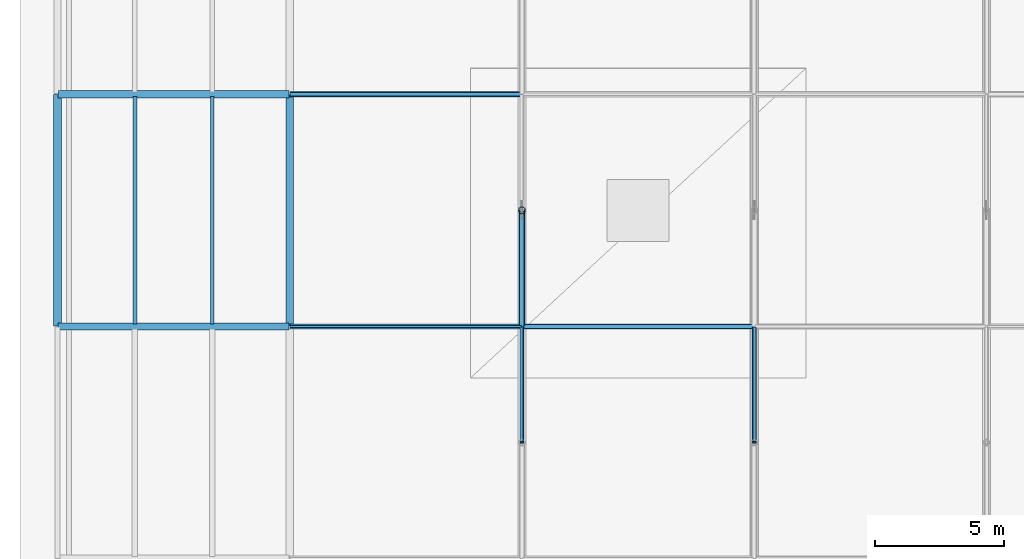
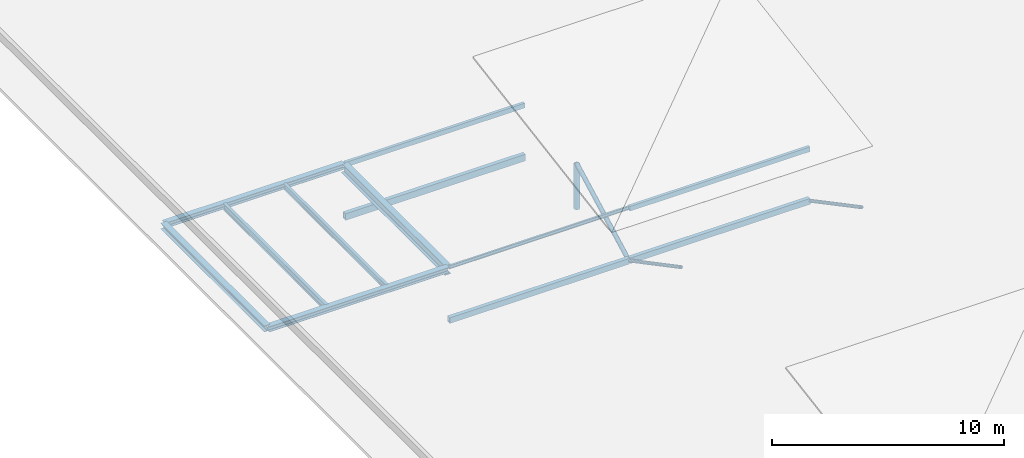
# One storey, part 65 of 196: 10 members, 6 beams.
"""IFC4 building model written with IfcOpenShell, lengths in metres."""

from ifc_helpers import new_model, si_unit, direction, frame, origin, origin_2d, place, context, subcontext, project, spatial, hollow_rectangle, hollow_circle, i_section, extrude, material, material_profile, profile_set, type_object, element, save


model = new_model("IFC4")

# Units and contexts
model_context = context("Model", 3, precision=1e-05, world=origin(), true_north=direction((0.0, 1.0)))
body_context = subcontext(model_context, "Body", "Model", "MODEL_VIEW")
ifc_project = project(units=[si_unit("LENGTHUNIT", "METRE"), si_unit("AREAUNIT", "SQUARE_METRE"), si_unit("VOLUMEUNIT", "CUBIC_METRE"), si_unit("PLANEANGLEUNIT", "RADIAN"), si_unit("MASSUNIT", "GRAM", prefix="KILO")], contexts=[model_context])

# Site, building, storey
site_placement = place(None, origin())
site = spatial("IfcSite", under=ifc_project, at=site_placement, CompositionType="ELEMENT")
building_placement = place(site_placement, origin())
building = spatial("IfcBuilding", under=site, at=building_placement, Name="Barlavento Convention Centre", CompositionType="ELEMENT")
storey_placement = place(building_placement, frame((0.0, 0.0, 18.0)))
storey = spatial("IfcBuildingStorey", under=building, at=storey_placement, Name="L03", CompositionType="ELEMENT", Elevation=18.0)

# Beams
ifc_material = material(Name="Steel S355", Category="steel")
ifc_material_profile_1 = material_profile(ifc_material, i_section(OverallWidth=0.14990234375, OverallDepth=0.300048828125, WebThickness=0.007080078125, FlangeThickness=0.0107421875, FilletRadius=0.014892578125, at=origin_2d()), Name="IPE 300")
ifc_profile_set_1 = profile_set([ifc_material_profile_1], Name="Steel S355")
beam_type_1 = type_object("IfcBeamType", Name="STR-BM-JST-IPE300", PredefinedType="JOIST", material=ifc_profile_set_1)
beam_1_placement = place(storey_placement, frame((6.0, 99.094970703125, -0.4951171875), z_axis=(0.0, 1.0, 0.0), x_axis=(-1.0, 0.0, 0.0)))
element("IfcBeam", 1, at=beam_1_placement, inside=storey, type_object=beam_type_1, Name="L03 composite floor joist SJ07", PredefinedType="JOIST", context=body_context, shape_type="SweptSolid", body=[
    extrude(i_section(OverallWidth=0.14990234375, OverallDepth=0.300048828125, WebThickness=0.007080078125, FlangeThickness=0.0107421875, FilletRadius=0.014892578125, at=origin_2d()), origin(), (0.0, 0.0, 1.0), 8.81005859375),
])
ifc_material_profile_2 = material_profile(ifc_material, i_section(OverallWidth=0.159912109375, OverallDepth=0.330078125, WebThickness=0.007568359375, FlangeThickness=0.011474609375, FilletRadius=0.01806640625, at=origin_2d()), Name="IPE 330")
ifc_profile_set_2 = profile_set([ifc_material_profile_2], Name="Steel S355")
beam_type_2 = type_object("IfcBeamType", Name="STR-BM-JST-IPE330", PredefinedType="JOIST", material=ifc_profile_set_2)
beam_2_placement = place(storey_placement, frame((3.0, 99.094970703125, -0.510009765625), z_axis=(0.0, 1.0, 0.0), x_axis=(-1.0, 0.0, 0.0)))
element("IfcBeam", 2, at=beam_2_placement, inside=storey, type_object=beam_type_2, Name="L03 composite floor joist SJ06", PredefinedType="JOIST", context=body_context, shape_type="SweptSolid", body=[
    extrude(i_section(OverallWidth=0.159912109375, OverallDepth=0.330078125, WebThickness=0.007568359375, FlangeThickness=0.011474609375, FilletRadius=0.01806640625, at=origin_2d()), origin(), (0.0, 0.0, 1.0), 8.81005859375),
])
ifc_material_profile_3 = material_profile(ifc_material, i_section(OverallWidth=0.300048828125, OverallDepth=0.489990234375, WebThickness=0.011962890625, FlangeThickness=0.02294921875, FilletRadius=0.027099609375, at=origin_2d()), Name="HEA 500")
ifc_profile_set_3 = profile_set([ifc_material_profile_3], Name="Steel S355")
beam_type_3 = type_object("IfcBeamType", Name="STR-BM-PRI-HEA500", PredefinedType="BEAM", material=ifc_profile_set_3)
beam_3_placement = place(storey_placement, frame((9.0, 99.02001953125, -0.590087890625), z_axis=(0.0, 1.0, 0.0), x_axis=(-1.0, 0.0, 0.0)))
element("IfcBeam", 3, at=beam_3_placement, inside=storey, type_object=beam_type_3, Name="L03 grid girder BG20", PredefinedType="BEAM", context=body_context, shape_type="SweptSolid", body=[
    extrude(i_section(OverallWidth=0.300048828125, OverallDepth=0.489990234375, WebThickness=0.011962890625, FlangeThickness=0.02294921875, FilletRadius=0.027099609375, at=origin_2d()), origin(), (0.0, 0.0, 1.0), 8.9599609375),
])
ifc_material_profile_4 = material_profile(ifc_material, i_section(OverallWidth=0.280029296875, OverallDepth=0.280029296875, WebThickness=0.010498046875, FlangeThickness=0.01806640625, FilletRadius=0.02392578125, at=origin_2d()), Name="HEB 280")
ifc_profile_set_4 = profile_set([ifc_material_profile_4], Name="Steel S355")
beam_type_4 = type_object("IfcBeamType", Name="STR-BM-PRI-HEB280", PredefinedType="BEAM", material=ifc_profile_set_4)
for number, where, z_axis, x_axis, name in (
    (4, (0.02001953125, 99.0, -0.485107421875), (1.0, 0.0, 0.0), (0.0, 1.0, 0.0), "L03 primary girder BG15"),
    (5, (0.02001953125, 108.0, -0.485107421875), (1.0, 0.0, 0.0), (0.0, 1.0, 0.0), "L03 primary girder BG15"),
):
    element("IfcBeam", number, at=place(storey_placement, frame(where, z_axis=z_axis, x_axis=x_axis)), inside=storey, type_object=beam_type_4, Name=name, PredefinedType="BEAM", context=body_context, shape_type="SweptSolid", body=[
        extrude(i_section(OverallWidth=0.280029296875, OverallDepth=0.280029296875, WebThickness=0.010498046875, FlangeThickness=0.01806640625, FilletRadius=0.02392578125, at=origin_2d()), origin(), (0.0, 0.0, 1.0), 8.9599609375),
    ])
ifc_material_profile_5 = material_profile(ifc_material, i_section(OverallWidth=0.300048828125, OverallDepth=0.31005859375, WebThickness=0.009033203125, FlangeThickness=0.015380859375, FilletRadius=0.027099609375, at=origin_2d()), Name="HEA 320")
ifc_profile_set_5 = profile_set([ifc_material_profile_5], Name="Steel S355")
beam_type_5 = type_object("IfcBeamType", Name="STR-BM-SPN-HEA320", PredefinedType="SPANDREL", material=ifc_profile_set_5)
beam_4_placement = place(storey_placement, frame((0.0, 99.02001953125, -0.5), z_axis=(0.0, 1.0, 0.0), x_axis=(-1.0, 0.0, 0.0)))
element("IfcBeam", 6, at=beam_4_placement, inside=storey, type_object=beam_type_5, Name="L03 grid girder SP01", PredefinedType="SPANDREL", context=body_context, shape_type="SweptSolid", body=[
    extrude(i_section(OverallWidth=0.300048828125, OverallDepth=0.31005859375, WebThickness=0.009033203125, FlangeThickness=0.015380859375, FilletRadius=0.027099609375, at=origin_2d()), origin(), (0.0, 0.0, 1.0), 8.9599609375),
])

# Members
ifc_material_profile_6 = material_profile(ifc_material, hollow_rectangle(XDim=0.199951171875, YDim=0.300048828125, WallThickness=0.012451171875, at=origin_2d()), Name="RHS 300x200x12.5")
ifc_profile_set_6 = profile_set([ifc_material_profile_6], Name="Steel S355")
member_type_1 = type_object("IfcMemberType", Name="STR-MEM-COL-RHS300", PredefinedType="COLLAR", material=ifc_profile_set_6)
for number, where, z_axis, x_axis, name in (
    (7, (9.02001953125, 99.0, -3.199951171875), (1.0, 0.0, 0.0), (0.0, 1.0, 0.0), "Exhibition space frame transverse chord"),
    (8, (18.02001953125, 99.0, -3.199951171875), (1.0, 0.0, 0.0), (0.0, 1.0, 0.0), "Exhibition space frame transverse chord"),
):
    element("IfcMember", number, at=place(storey_placement, frame(where, z_axis=z_axis, x_axis=x_axis)), inside=storey, type_object=member_type_1, Name=name, PredefinedType="COLLAR", context=body_context, shape_type="SweptSolid", body=[
        extrude(hollow_rectangle(XDim=0.199951171875, YDim=0.300048828125, WallThickness=0.012451171875, at=origin_2d()), origin(), (0.0, 0.0, 1.0), 8.9599609375),
    ])
ifc_material_profile_7 = material_profile(ifc_material, hollow_rectangle(XDim=0.199951171875, YDim=0.35009765625, WallThickness=0.012451171875, at=origin_2d()), Name="RHS 350x200x12.5")
ifc_profile_set_7 = profile_set([ifc_material_profile_7], Name="Steel S355")
member_type_2 = type_object("IfcMemberType", Name="STR-MEM-COL-RHS350", PredefinedType="COLLAR", material=ifc_profile_set_7)
member_1_placement = place(storey_placement, frame((9.02001953125, 108.0, -3.199951171875), z_axis=(1.0, 0.0, 0.0), x_axis=(0.0, 1.0, 0.0)))
element("IfcMember", 9, at=member_1_placement, inside=storey, type_object=member_type_2, Name="Exhibition space frame transverse chord", PredefinedType="COLLAR", context=body_context, shape_type="SweptSolid", body=[
    extrude(hollow_rectangle(XDim=0.199951171875, YDim=0.35009765625, WallThickness=0.012451171875, at=origin_2d()), origin(), (0.0, 0.0, 1.0), 8.9599609375),
])
ifc_material_profile_8 = material_profile(ifc_material, hollow_circle(Radius=0.084228515625, WallThickness=0.010009765625, at=origin_2d()), Name="CHS 168.3x10.0")
ifc_profile_set_8 = profile_set([ifc_material_profile_8], Name="Steel S355")
member_type_3 = type_object("IfcMemberType", Name="STR-MEM-DIAG-CHS168", PredefinedType="POST", material=ifc_profile_set_8)
member_2_placement = place(storey_placement, frame((18.0, 94.5, -0.84912109375), z_axis=(0.0, 0.884200566707, -0.467107437144), x_axis=(-1.0, 0.0, 0.0)))
element("IfcMember", 10, at=member_2_placement, inside=storey, type_object=member_type_3, Name="Exhibition space frame web diagonal", PredefinedType="POST", context=body_context, shape_type="SweptSolid", body=[
    extrude(hollow_circle(Radius=0.084228515625, WallThickness=0.010009765625, at=origin_2d()), origin(), (0.0, 0.0, 1.0), 5.03271484375),
])
member_3_placement = place(storey_placement, frame((27.0, 94.5, -0.844970703125), z_axis=(0.0, 0.883859857229, -0.467751806816), x_axis=(-1.0, 0.0, 0.0)))
element("IfcMember", 11, at=member_3_placement, inside=storey, type_object=member_type_3, Name="Exhibition space frame web diagonal", PredefinedType="POST", context=body_context, shape_type="SweptSolid", body=[
    extrude(hollow_circle(Radius=0.084228515625, WallThickness=0.010009765625, at=origin_2d()), origin(), (0.0, 0.0, 1.0), 5.03466796875),
])
ifc_material_profile_9 = material_profile(ifc_material, hollow_circle(Radius=0.109619140625, WallThickness=0.012451171875, at=origin_2d()), Name="CHS 219.1x12.5")
ifc_profile_set_9 = profile_set([ifc_material_profile_9], Name="Steel S355")
member_type_4 = type_object("IfcMemberType", Name="STR-MEM-DIAG-CHS219", PredefinedType="RAFTER", material=ifc_profile_set_9)
member_4_placement = place(storey_placement, frame((18.0, 99.050048828125, -3.199951171875), z_axis=(0.0, 0.884200566707, 0.467107437144), x_axis=(-1.0, 0.0, 0.0)))
element("IfcMember", 12, at=member_4_placement, inside=storey, type_object=member_type_4, Name="Exhibition space frame web diagonal", PredefinedType="RAFTER", context=body_context, shape_type="SweptSolid", body=[
    extrude(hollow_circle(Radius=0.109619140625, WallThickness=0.012451171875, at=origin_2d()), origin(), (0.0, 0.0, 1.0), 5.03271484375),
])
ifc_material_profile_10 = material_profile(ifc_material, i_section(OverallWidth=0.091064453125, OverallDepth=0.179931640625, WebThickness=0.00537109375, FlangeThickness=0.008056640625, FilletRadius=0.009033203125, at=origin_2d()), Name="IPE 180")
ifc_profile_set_10 = profile_set([ifc_material_profile_10], Name="Steel S355")
member_type_5 = type_object("IfcMemberType", Name="STR-MEM-PUR-IPE180", PredefinedType="PURLIN", material=ifc_profile_set_10)
member_5_placement = place(storey_placement, frame((9.02001953125, 99.0, -0.43505859375), z_axis=(1.0, 0.0, 0.0), x_axis=(0.0, 1.0, 0.0)))
element("IfcMember", 13, at=member_5_placement, inside=storey, type_object=member_type_5, Name="Exhibition roof purlin", PredefinedType="PURLIN", context=body_context, shape_type="SweptSolid", body=[
    extrude(i_section(OverallWidth=0.091064453125, OverallDepth=0.179931640625, WebThickness=0.00537109375, FlangeThickness=0.008056640625, FilletRadius=0.009033203125, at=origin_2d()), origin(), (0.0, 0.0, 1.0), 8.9599609375),
])
ifc_material_profile_11 = material_profile(ifc_material, hollow_rectangle(XDim=0.14990234375, YDim=0.25, WallThickness=0.010009765625, at=origin_2d()), Name="RHS 250x150x10.0")
ifc_profile_set_11 = profile_set([ifc_material_profile_11], Name="Steel S355")
member_type_6 = type_object("IfcMemberType", Name="STR-MEM-PUR-RHS250", PredefinedType="PURLIN", material=ifc_profile_set_11)
for number, where, z_axis, x_axis, name in (
    (14, (18.02001953125, 99.0, -0.469970703125), (1.0, 0.0, 0.0), (0.0, 1.0, 0.0), "Exhibition roof purlin"),
    (15, (9.02001953125, 108.0, -0.469970703125), (1.0, 0.0, 0.0), (0.0, 1.0, 0.0), "Exhibition roof purlin"),
):
    element("IfcMember", number, at=place(storey_placement, frame(where, z_axis=z_axis, x_axis=x_axis)), inside=storey, type_object=member_type_6, Name=name, PredefinedType="PURLIN", context=body_context, shape_type="SweptSolid", body=[
        extrude(hollow_rectangle(XDim=0.14990234375, YDim=0.25, WallThickness=0.010009765625, at=origin_2d()), origin(), (0.0, 0.0, 1.0), 8.9599609375),
    ])
ifc_material_profile_12 = material_profile(ifc_material, hollow_circle(Radius=0.136474609375, WallThickness=0.012451171875, at=origin_2d()), Name="CHS 273.0x12.5")
ifc_profile_set_12 = profile_set([ifc_material_profile_12], Name="Steel S355")
member_type_7 = type_object("IfcMemberType", Name="STR-MEM-STRUT-CHS273", PredefinedType="STRUT", material=ifc_profile_set_12)
member_6_placement = place(storey_placement, frame((18.0, 103.5, -3.199951171875), z_axis=(0.0, 0.0, 1.0), x_axis=(1.0, 0.0, 0.0)))
element("IfcMember", 16, at=member_6_placement, inside=storey, type_object=member_type_7, Name="Exhibition space frame vertical strut", PredefinedType="STRUT", context=body_context, shape_type="SweptSolid", body=[
    extrude(hollow_circle(Radius=0.136474609375, WallThickness=0.012451171875, at=origin_2d()), origin(), (0.0, 0.0, 1.0), 2.350830078125),
])

save(model, "model.ifc")
